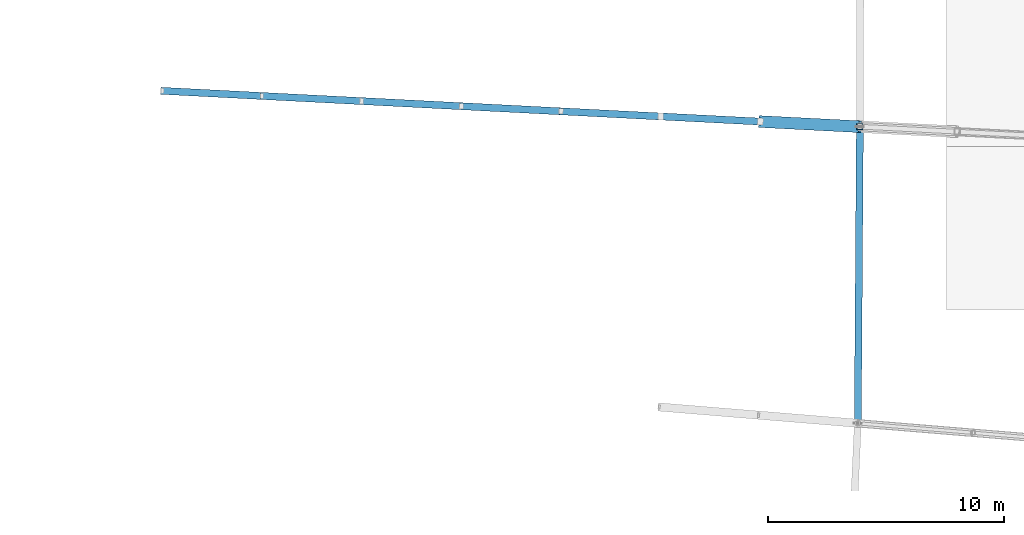
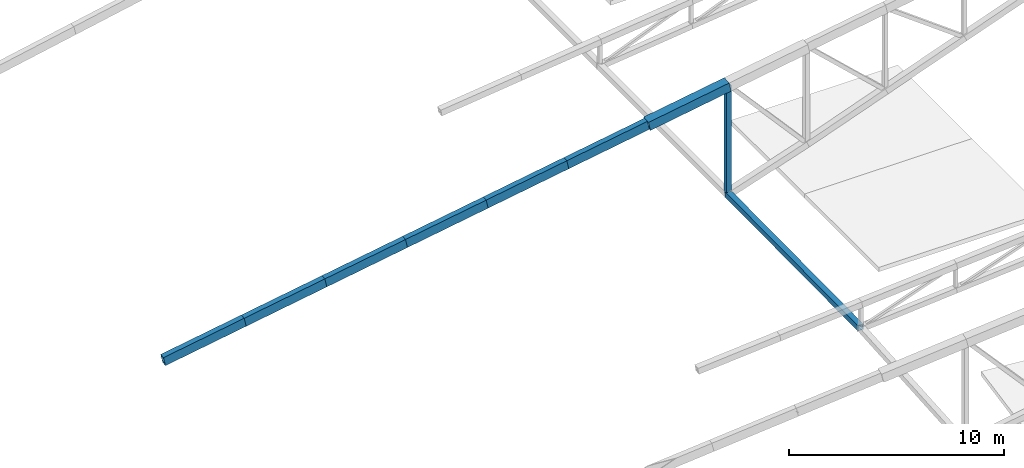
# One storey, part 53 of 188: 9 members.
"""IFC4 building model written with IfcOpenShell, lengths in metres."""

from ifc_helpers import new_model, si_unit, direction, frame, origin, origin_2d, place, context, subcontext, project, spatial, hollow_rectangle, extrude, material, material_profile, profile_set, type_object, element, save


model = new_model("IFC4")

# Units and contexts
model_context = context("Model", 3, precision=1e-05, world=origin(), true_north=direction((0.0, 1.0)))
body_context = subcontext(model_context, "Body", "Model", "MODEL_VIEW")
ifc_project = project(units=[si_unit("LENGTHUNIT", "METRE"), si_unit("AREAUNIT", "SQUARE_METRE"), si_unit("VOLUMEUNIT", "CUBIC_METRE"), si_unit("PLANEANGLEUNIT", "RADIAN"), si_unit("MASSUNIT", "GRAM", prefix="KILO")], contexts=[model_context])

# Site, building, storey
site_placement = place(None, origin())
site = spatial("IfcSite", under=ifc_project, at=site_placement, CompositionType="ELEMENT")
building_placement = place(site_placement, origin())
building = spatial("IfcBuilding", under=site, at=building_placement, Name="Meseta Stadium", CompositionType="ELEMENT")
storey_placement = place(building_placement, frame((0.0, 0.0, 30.0)))
storey = spatial("IfcBuildingStorey", under=building, at=storey_placement, Name="ROOF", CompositionType="ELEMENT", Elevation=30.0)

# Members
ifc_material_1 = material(Name="Steel S355", Category="steel")
ifc_material_profile_1 = material_profile(ifc_material_1, hollow_rectangle(XDim=0.300048828125, YDim=0.5, WallThickness=0.01611328125, at=origin_2d()), Name="RHS 500x300x16")
ifc_profile_set_1 = profile_set([ifc_material_profile_1], Name="Steel S355")
member_type_1 = type_object("IfcMemberType", Name="RHS 500x300x16 top chord", PredefinedType="CHORD", material=ifc_profile_set_1)
for number, where, z_axis, x_axis, name in (
    (1, (55.42431640625, -28.886962890625, 0.728759765625), (0.976913668371, -0.050228668723, 0.207645769011), (0.051347841848, 0.998680829463, 0.0), "ROOF TRUSS RT-02 top chord"),
    (2, (59.640869140625, -29.103759765625, 1.625), (0.976916442354, -0.050172247372, 0.207646358629), (0.051290169905, 0.998683793035, 0.0), "ROOF TRUSS RT-02 top chord"),
):
    element("IfcMember", number, at=place(storey_placement, frame(where, z_axis=z_axis, x_axis=x_axis)), inside=storey, type_object=member_type_1, Name=name, PredefinedType="CHORD", context=body_context, shape_type="SweptSolid", body=[
        extrude(hollow_rectangle(XDim=0.300048828125, YDim=0.5, WallThickness=0.01611328125, at=origin_2d()), origin(), (0.0, 0.0, 1.0), 4.316162109375),
    ])
member_1_placement = place(storey_placement, frame((63.857421875, -29.3203125, 2.521240234375), z_axis=(0.976916249712, -0.050225893339, 0.207634295547), x_axis=(0.051344876791, 0.998680981909, 0.0)))
element("IfcMember", 3, at=member_1_placement, inside=storey, type_object=member_type_1, Name="ROOF TRUSS RT-02 top chord", PredefinedType="CHORD", context=body_context, shape_type="SweptSolid", body=[
    extrude(hollow_rectangle(XDim=0.300048828125, YDim=0.5, WallThickness=0.01611328125, at=origin_2d()), origin(), (0.0, 0.0, 1.0), 4.31640625),
])
for number, where, z_axis, x_axis, name in (
    (4, (68.07421875, -29.537109375, 3.41748046875), (0.976913668371, -0.050228668723, 0.207645769011), (0.051347841848, 0.998680829463, 0.0), "ROOF TRUSS RT-02 top chord"),
    (5, (72.290771484375, -29.75390625, 4.313720703125), (0.976916442354, -0.050172247372, 0.207646358629), (0.051290169905, 0.998683793035, 0.0), "ROOF TRUSS RT-02 top chord"),
):
    element("IfcMember", number, at=place(storey_placement, frame(where, z_axis=z_axis, x_axis=x_axis)), inside=storey, type_object=member_type_1, Name=name, PredefinedType="CHORD", context=body_context, shape_type="SweptSolid", body=[
        extrude(hollow_rectangle(XDim=0.300048828125, YDim=0.5, WallThickness=0.01611328125, at=origin_2d()), origin(), (0.0, 0.0, 1.0), 4.316162109375),
    ])
member_2_placement = place(storey_placement, frame((76.50732421875, -29.970458984375, 5.2099609375), z_axis=(0.976916249712, -0.050225893339, 0.207634295547), x_axis=(0.051344876791, 0.998680981909, 0.0)))
element("IfcMember", 6, at=member_2_placement, inside=storey, type_object=member_type_1, Name="ROOF TRUSS RT-02 top chord", PredefinedType="CHORD", context=body_context, shape_type="SweptSolid", body=[
    extrude(hollow_rectangle(XDim=0.300048828125, YDim=0.5, WallThickness=0.01611328125, at=origin_2d()), origin(), (0.0, 0.0, 1.0), 4.31640625),
])
ifc_material_2 = material(Name="Steel S355", Category="steel")
ifc_material_profile_2 = material_profile(ifc_material_2, hollow_rectangle(XDim=0.25, YDim=0.25, WallThickness=0.010009765625, at=origin_2d()), Name="SHS 250x250x10")
ifc_profile_set_2 = profile_set([ifc_material_profile_2], Name="Steel S355")
member_type_2 = type_object("IfcMemberType", Name="SHS 250x250x10 post", PredefinedType="POST", material=ifc_profile_set_2)
member_3_placement = place(storey_placement, frame((84.940673828125, -30.404052734375, 0.800048828125), z_axis=(0.0, 0.0, 1.0), x_axis=(1.0, 0.0, 0.0)))
element("IfcMember", 7, at=member_3_placement, inside=storey, type_object=member_type_2, Name="ROOF TRUSS RT-02 post", PredefinedType="POST", context=body_context, shape_type="SweptSolid", body=[
    extrude(hollow_rectangle(XDim=0.25, YDim=0.25, WallThickness=0.010009765625, at=origin_2d()), origin(), (0.0, 0.0, 1.0), 6.202392578125),
])
ifc_material_3 = material(Name="Steel S355", Category="steel")
ifc_material_profile_3 = material_profile(ifc_material_3, hollow_rectangle(XDim=0.300048828125, YDim=0.300048828125, WallThickness=0.010009765625, at=origin_2d()), Name="SHS 300x300x10")
ifc_profile_set_3 = profile_set([ifc_material_profile_3], Name="Steel S355")
member_type_3 = type_object("IfcMemberType", Name="SHS 300x300x10 pivot strut", PredefinedType="STRUT", material=ifc_profile_set_3)
member_4_placement = place(storey_placement, frame((84.85400390625, -42.948486328125, 0.800048828125), z_axis=(0.006908869398, 0.999976133477, 0.0), x_axis=(-0.999976133477, 0.006908869398, 0.0)))
element("IfcMember", 8, at=member_4_placement, inside=storey, type_object=member_type_3, Name="ROOF PIVOT STRUT RT-01/02", PredefinedType="STRUT", context=body_context, shape_type="SweptSolid", body=[
    extrude(hollow_rectangle(XDim=0.300048828125, YDim=0.300048828125, WallThickness=0.010009765625, at=origin_2d()), origin(), (0.0, 0.0, 1.0), 12.544677734375),
])
ifc_material_4 = material(Name="Steel S355", Category="steel")
ifc_material_profile_4 = material_profile(ifc_material_4, hollow_rectangle(XDim=0.5, YDim=0.5, WallThickness=0.01611328125, at=origin_2d()), Name="SHS 500x500x16")
ifc_profile_set_4 = profile_set([ifc_material_profile_4], Name="Steel S355")
member_type_4 = type_object("IfcMemberType", Name="SHS 500x500x16 top chord", PredefinedType="CHORD", material=ifc_profile_set_4)
member_5_placement = place(storey_placement, frame((80.72412109375, -30.187255859375, 6.106201171875), z_axis=(0.976913668371, -0.050228668723, 0.207645769011), x_axis=(0.051347841848, 0.998680829463, 0.0)))
element("IfcMember", 9, at=member_5_placement, inside=storey, type_object=member_type_4, Name="ROOF TRUSS RT-02 top chord", PredefinedType="CHORD", context=body_context, shape_type="SweptSolid", body=[
    extrude(hollow_rectangle(XDim=0.5, YDim=0.5, WallThickness=0.01611328125, at=origin_2d()), origin(), (0.0, 0.0, 1.0), 4.316162109375),
])

save(model, "model.ifc")
